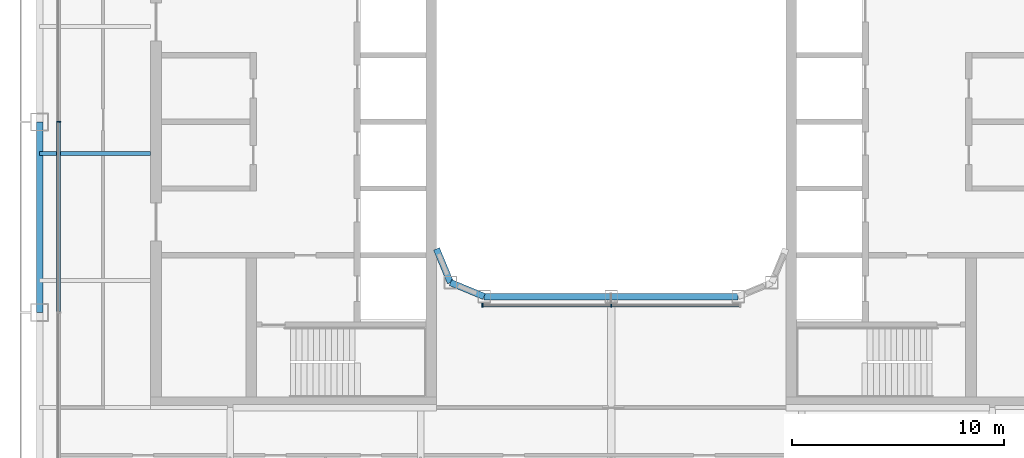
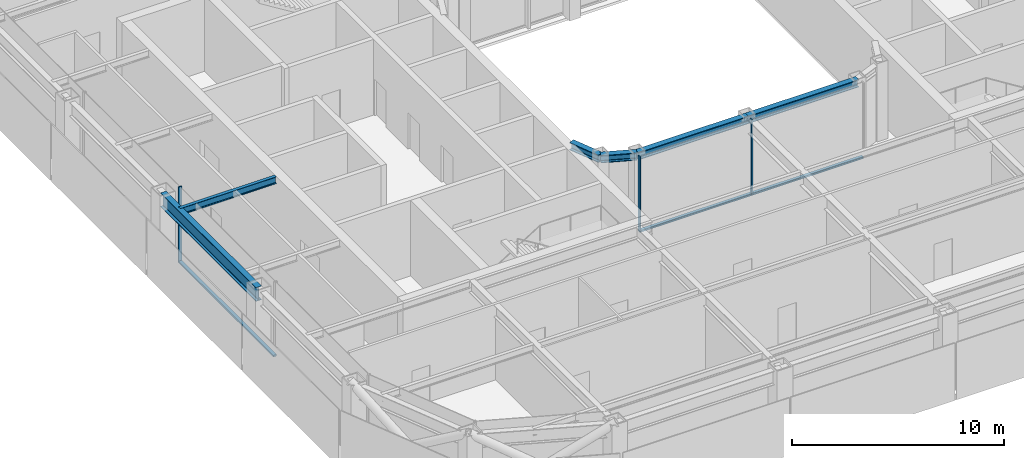
# One storey, part 3 of 22: 6 beams, 6 members, 2 elements without a shape of their own.
"""IFC4 building model written with IfcOpenShell, lengths in metres."""

from ifc_helpers import new_model, si_unit, direction, frame, origin, origin_2d, place, context, subcontext, project, spatial, rectangle, i_section, extrude, material, layer, layer_set, material_profile, profile_set, type_object, element, aggregate, save


model = new_model("IFC4")

# Units and contexts
model_context = context("Model", 3, precision=1e-05, world=origin(), true_north=direction((0.0, 1.0)))
body_context = subcontext(model_context, "Body", "Model", "MODEL_VIEW")
ifc_project = project(units=[si_unit("LENGTHUNIT", "METRE"), si_unit("AREAUNIT", "SQUARE_METRE"), si_unit("VOLUMEUNIT", "CUBIC_METRE"), si_unit("PLANEANGLEUNIT", "RADIAN"), si_unit("MASSUNIT", "GRAM", prefix="KILO")], contexts=[model_context])

# Site, building, storey
site_placement = place(None, origin())
site = spatial("IfcSite", under=ifc_project, at=site_placement, CompositionType="ELEMENT")
building_placement = place(site_placement, origin())
building = spatial("IfcBuilding", under=site, at=building_placement, Name="Siwar Civic Tower", CompositionType="ELEMENT")
storey_placement = place(building_placement, frame((0.0, 0.0, 219.699951171875)))
storey = spatial("IfcBuildingStorey", under=building, at=storey_placement, Name="L47", CompositionType="ELEMENT", Elevation=219.699951171875)

# Curtain wall, member
ifc_material_1 = material(Name="Aluminium and glass", Category="aluminium")
ifc_layer_1 = layer(ifc_material_1, 0.179931640625)
ifc_layer_set_1 = layer_set([ifc_layer_1], Name="Aluminium and glass")
curtain_wall_type_1 = type_object("IfcCurtainWallType", Name="ENV-CW-C", PredefinedType="NOTDEFINED", material=ifc_layer_set_1)
curtain_wall_1_placement = place(storey_placement, origin())
curtain_wall_1 = element("IfcCurtainWall", 1, at=curtain_wall_1_placement, inside=storey, type_object=curtain_wall_type_1, Name="Curtain wall C W", PredefinedType="NOTDEFINED")
ifc_material_2 = material(Name="Aluminium 6063-T6", Category="aluminium")
ifc_material_profile_1 = material_profile(ifc_material_2, rectangle(XDim=0.179931640625, YDim=0.06005859375, at=origin_2d()), Name="AL 180x60")
ifc_profile_set_1 = profile_set([ifc_material_profile_1], Name="Aluminium 6063-T6")
member_type_1 = type_object("IfcMemberType", Name="ENV-MULLION-C", PredefinedType="MULLION", material=ifc_profile_set_1)
member_1_placement = place(storey_placement, frame((-26.10009765625, 0.0, 0.0), z_axis=(0.0, 0.0, 1.0), x_axis=(1.0, 0.0, 0.0)))
member_1 = element("IfcMember", 2, at=member_1_placement, type_object=member_type_1, Name="Mullion C W 3", PredefinedType="MULLION", context=body_context, shape_type="SweptSolid", body=[
    extrude(rectangle(XDim=0.179931640625, YDim=0.06005859375, at=origin_2d()), origin(), (0.0, 0.0, 1.0), 4.35009765625),
])

# Curtain wall, members
ifc_material_3 = material(Name="Aluminium and glass", Category="aluminium")
ifc_layer_2 = layer(ifc_material_3, 0.179931640625)
ifc_layer_set_2 = layer_set([ifc_layer_2], Name="Aluminium and glass")
curtain_wall_type_2 = type_object("IfcCurtainWallType", Name="ENV-CW-W", PredefinedType="NOTDEFINED", material=ifc_layer_set_2)
curtain_wall_2_placement = place(storey_placement, origin())
curtain_wall_2 = element("IfcCurtainWall", 3, at=curtain_wall_2_placement, inside=storey, type_object=curtain_wall_type_2, Name="Curtain wall W WS", PredefinedType="NOTDEFINED")
ifc_material_4 = material(Name="Aluminium 6063-T6", Category="aluminium")
ifc_material_profile_2 = material_profile(ifc_material_4, rectangle(XDim=0.179931640625, YDim=0.06005859375, at=origin_2d()), Name="AL 180x60")
ifc_profile_set_2 = profile_set([ifc_material_profile_2], Name="Aluminium 6063-T6")
member_type_2 = type_object("IfcMemberType", Name="ENV-MULLION-W", PredefinedType="MULLION", material=ifc_profile_set_2)
member_2_placement = place(storey_placement, frame((-6.08154296875, -8.659912109375, 0.0), z_axis=(0.0, 0.0, 1.0), x_axis=(0.0, 1.0, 0.0)))
member_2 = element("IfcMember", 4, at=member_2_placement, type_object=member_type_2, Name="Mullion W WS 1", PredefinedType="MULLION", context=body_context, shape_type="SweptSolid", body=[
    extrude(rectangle(XDim=0.179931640625, YDim=0.06005859375, at=origin_2d()), origin(), (0.0, 0.0, 1.0), 4.35009765625),
])
member_3_placement = place(storey_placement, frame((0.0, -8.659912109375, 0.0), z_axis=(0.0, 0.0, 1.0), x_axis=(0.0, 1.0, 0.0)))
member_3 = element("IfcMember", 5, at=member_3_placement, type_object=member_type_2, Name="Mullion W WS 2", PredefinedType="MULLION", context=body_context, shape_type="SweptSolid", body=[
    extrude(rectangle(XDim=0.179931640625, YDim=0.06005859375, at=origin_2d()), origin(), (0.0, 0.0, 1.0), 4.35009765625),
])

# Member
ifc_material_5 = material(Name="Aluminium 6063-T6", Category="aluminium")
ifc_material_profile_3 = material_profile(ifc_material_5, rectangle(XDim=0.179931640625, YDim=0.10009765625, at=origin_2d()), Name="AL 180x100")
ifc_profile_set_3 = profile_set([ifc_material_profile_3], Name="Aluminium 6063-T6")
member_type_3 = type_object("IfcMemberType", Name="ENV-TRANSOM-C", PredefinedType="USERDEFINED", material=ifc_profile_set_3)
member_4_placement = place(storey_placement, frame((-26.10009765625, -0.030029296875, 0.050048828125), z_axis=(0.0, -1.0, 0.0), x_axis=(1.0, 0.0, 0.0)))
member_4 = element("IfcMember", 6, at=member_4_placement, type_object=member_type_3, Name="Transom C W 3", ObjectType="TRANSOM", PredefinedType="USERDEFINED", context=body_context, shape_type="SweptSolid", body=[
    extrude(rectangle(XDim=0.179931640625, YDim=0.10009765625, at=origin_2d()), origin(), (0.0, 0.0, 1.0), 8.93994140625),
])

aggregate(curtain_wall_1, [member_1, member_4])

ifc_material_6 = material(Name="Aluminium 6063-T6", Category="aluminium")
ifc_material_profile_4 = material_profile(ifc_material_6, rectangle(XDim=0.179931640625, YDim=0.10009765625, at=origin_2d()), Name="AL 180x100")
ifc_profile_set_4 = profile_set([ifc_material_profile_4], Name="Aluminium 6063-T6")
member_type_4 = type_object("IfcMemberType", Name="ENV-TRANSOM-W", PredefinedType="USERDEFINED", material=ifc_profile_set_4)
member_5_placement = place(storey_placement, frame((-6.051513671875, -8.659912109375, 0.050048828125), z_axis=(1.0, 0.0, 0.0), x_axis=(0.0, 1.0, 0.0)))
member_5 = element("IfcMember", 7, at=member_5_placement, type_object=member_type_4, Name="Transom W WS 1", ObjectType="TRANSOM", PredefinedType="USERDEFINED", context=body_context, shape_type="SweptSolid", body=[
    extrude(rectangle(XDim=0.179931640625, YDim=0.10009765625, at=origin_2d()), origin(), (0.0, 0.0, 1.0), 6.021484375),
])

member_6_placement = place(storey_placement, frame((0.030029296875, -8.659912109375, 0.050048828125), z_axis=(1.0, 0.0, 0.0), x_axis=(0.0, 1.0, 0.0)))
member_6 = element("IfcMember", 8, at=member_6_placement, type_object=member_type_4, Name="Transom W WS 2", ObjectType="TRANSOM", PredefinedType="USERDEFINED", context=body_context, shape_type="SweptSolid", body=[
    extrude(rectangle(XDim=0.179931640625, YDim=0.10009765625, at=origin_2d()), origin(), (0.0, 0.0, 1.0), 6.021484375),
])

aggregate(curtain_wall_2, [member_2, member_3, member_5, member_6])

# Beams
ifc_material_7 = material(Name="Steel S355", Category="steel")
ifc_material_profile_5 = material_profile(ifc_material_7, i_section(OverallWidth=0.179931640625, OverallDepth=0.39990234375, WebThickness=0.008544921875, FlangeThickness=0.013427734375, FilletRadius=0.02099609375, at=origin_2d()), Name="IPE400")
ifc_profile_set_5 = profile_set([ifc_material_profile_5], Name="Steel S355")
beam_type_1 = type_object("IfcBeamType", Name="STR-FB-IPE400", PredefinedType="JOIST", material=ifc_profile_set_5)
beam_1_placement = place(storey_placement, frame((-27.0, -1.5, 4.150146484375), z_axis=(1.0, 0.0, 0.0), x_axis=(0.0, 1.0, 0.0)))
element("IfcBeam", 9, at=beam_1_placement, inside=storey, type_object=beam_type_1, Name="L47/bm/F023", PredefinedType="JOIST", context=body_context, shape_type="SweptSolid", body=[
    extrude(i_section(OverallWidth=0.179931640625, OverallDepth=0.39990234375, WebThickness=0.008544921875, FlangeThickness=0.013427734375, FilletRadius=0.02099609375, at=origin_2d()), origin(), (0.0, 0.0, 1.0), 5.25),
])
ifc_material_8 = material(Name="Steel S355", Category="steel")
ifc_material_profile_6 = material_profile(ifc_material_8, i_section(OverallWidth=0.306884765625, OverallDepth=0.431884765625, WebThickness=0.02099609375, FlangeThickness=0.0400390625, FilletRadius=0.027099609375, at=origin_2d()), Name="HEM400")
ifc_profile_set_6 = profile_set([ifc_material_profile_6], Name="Steel S355")
beam_type_2 = type_object("IfcBeamType", Name="STR-RB-HEM400", PredefinedType="BEAM", material=ifc_profile_set_6)
beam_2_placement = place(storey_placement, frame((-7.591064453125, -7.591064453125, 4.134033203125), z_axis=(0.923901072997, -0.382631424892, 0.0), x_axis=(0.382631424892, 0.923901072997, 0.0)))
element("IfcBeam", 10, at=beam_2_placement, inside=storey, type_object=beam_type_2, Name="L47/bm/RS0", PredefinedType="BEAM", context=body_context, shape_type="SweptSolid", body=[
    extrude(i_section(OverallWidth=0.306884765625, OverallDepth=0.431884765625, WebThickness=0.02099609375, FlangeThickness=0.0400390625, FilletRadius=0.027099609375, at=origin_2d()), origin(), (0.0, 0.0, 1.0), 1.72216796875),
])
for number, where, z_axis, x_axis, name in (
    (11, (-6.0, -8.25, 4.134033203125), (1.0, 0.0, 0.0), (0.0, 1.0, 0.0), "L47/bm/RS1"),
    (12, (0.0, -8.25, 4.134033203125), (1.0, 0.0, 0.0), (0.0, 1.0, 0.0), "L47/bm/RS2"),
):
    element("IfcBeam", number, at=place(storey_placement, frame(where, z_axis=z_axis, x_axis=x_axis)), inside=storey, type_object=beam_type_2, Name=name, PredefinedType="BEAM", context=body_context, shape_type="SweptSolid", body=[
        extrude(i_section(OverallWidth=0.306884765625, OverallDepth=0.431884765625, WebThickness=0.02099609375, FlangeThickness=0.0400390625, FilletRadius=0.027099609375, at=origin_2d()), origin(), (0.0, 0.0, 1.0), 6.0),
    ])
beam_3_placement = place(storey_placement, frame((-7.591064453125, -7.591064453125, 4.134033203125), z_axis=(-0.382631424892, 0.923901072997, 0.0), x_axis=(-0.923901072997, -0.382631424892, 0.0)))
element("IfcBeam", 13, at=beam_3_placement, inside=storey, type_object=beam_type_2, Name="L47/bm/RSEW", PredefinedType="BEAM", context=body_context, shape_type="SweptSolid", body=[
    extrude(i_section(OverallWidth=0.306884765625, OverallDepth=0.431884765625, WebThickness=0.02099609375, FlangeThickness=0.0400390625, FilletRadius=0.027099609375, at=origin_2d()), origin(), (0.0, 0.0, 1.0), 1.72216796875),
])
ifc_material_9 = material(Name="Steel S355", Category="steel")
ifc_material_profile_7 = material_profile(ifc_material_9, i_section(OverallWidth=0.300048828125, OverallDepth=0.800048828125, WebThickness=0.017578125, FlangeThickness=0.032958984375, FilletRadius=0.030029296875, at=origin_2d()), Name="HEB800")
ifc_profile_set_7 = profile_set([ifc_material_profile_7], Name="Steel S355")
beam_type_3 = type_object("IfcBeamType", Name="STR-SB-HEB800", PredefinedType="BEAM", material=ifc_profile_set_7)
beam_4_placement = place(storey_placement, frame((-27.0, 0.0, 3.949951171875), z_axis=(0.0, -1.0, 0.0), x_axis=(1.0, 0.0, 0.0)))
element("IfcBeam", 14, at=beam_4_placement, inside=storey, type_object=beam_type_3, Name="L47/bm/SW-2", PredefinedType="BEAM", context=body_context, shape_type="SweptSolid", body=[
    extrude(i_section(OverallWidth=0.300048828125, OverallDepth=0.800048828125, WebThickness=0.017578125, FlangeThickness=0.032958984375, FilletRadius=0.030029296875, at=origin_2d()), origin(), (0.0, 0.0, 1.0), 9.0),
])

save(model, "model.ifc")
